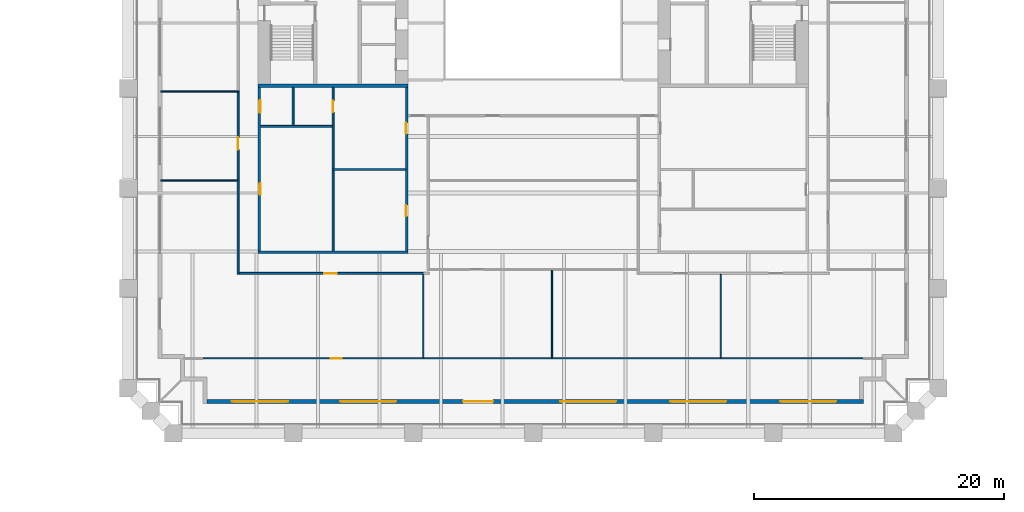
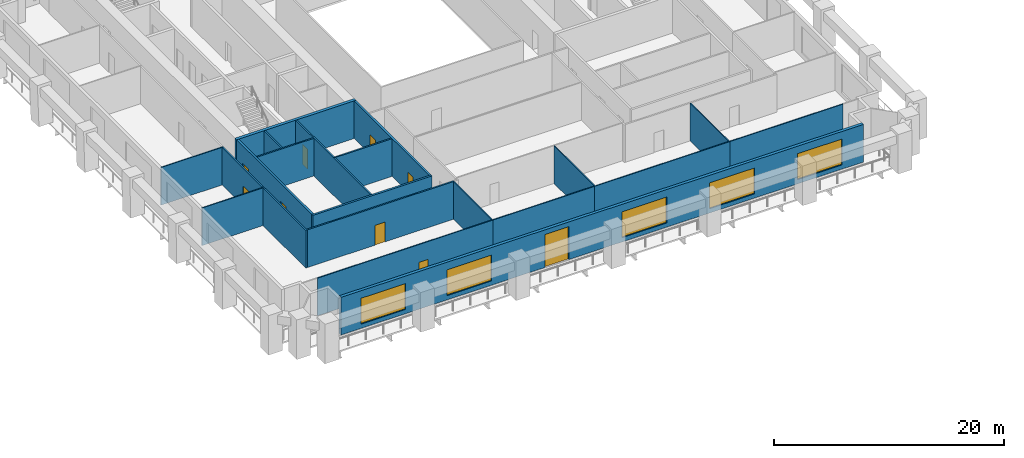
# One storey, part 3 of 10: 21 walls, 9 doors, 5 windows, 14 openings.
"""IFC4 building model written with IfcOpenShell, lengths in metres."""

from ifc_helpers import new_model, si_unit, direction, frame, frame_2d, origin, place, context, subcontext, project, spatial, rectangle, extrude, material, layer, layer_set, type_object, element, fill, save


model = new_model("IFC4")

# Units and contexts
model_context = context("Model", 3, precision=1e-05, world=origin(), true_north=direction((0.0, 1.0)))
body_context = subcontext(model_context, "Body", "Model", "MODEL_VIEW")
ifc_project = project(units=[si_unit("LENGTHUNIT", "METRE"), si_unit("AREAUNIT", "SQUARE_METRE"), si_unit("VOLUMEUNIT", "CUBIC_METRE"), si_unit("PLANEANGLEUNIT", "RADIAN"), si_unit("MASSUNIT", "GRAM", prefix="KILO")], contexts=[model_context])

# Site, building, storey
site_placement = place(None, origin())
site = spatial("IfcSite", under=ifc_project, at=site_placement, CompositionType="ELEMENT")
building_placement = place(site_placement, origin())
building = spatial("IfcBuilding", under=site, at=building_placement, Name="Ogive Exchange Tower", CompositionType="ELEMENT")
storey_placement = place(building_placement, frame((0.0, 0.0, 48.0)))
storey = spatial("IfcBuildingStorey", under=building, at=storey_placement, Name="L09", CompositionType="ELEMENT", Elevation=48.0)

# Wall, opening, door
ifc_material_1 = material(Name="Gypsum board partition")
ifc_layer_1 = layer(ifc_material_1, 0.14990234375)
ifc_layer_set_1 = layer_set([ifc_layer_1], Name="Core room partition 150 gypsum")
wall_type_1 = type_object("IfcWallType", Name="Core room partition 150 gypsum", PredefinedType="PARTITIONING", material=ifc_layer_set_1)
wall_1_placement = place(storey_placement, frame((-16.0, -15.800048828125, 0.0), z_axis=(0.0, 0.0, 1.0), x_axis=(0.0, 1.0, 0.0)))
wall_1 = element("IfcWall", 1, at=wall_1_placement, inside=storey, type_object=wall_type_1, Name="W annex S column wall", PredefinedType="PARTITIONING", context=body_context, shape_type="SweptSolid", body=[
    extrude(rectangle(XDim=13.050048828125, YDim=0.14990234375, at=frame_2d((6.52490234375, 0.0))), origin(), (0.0, 0.0, 1.0), 4.0),
])
opening_1_placement = place(wall_1_placement, frame((11.08740234375, 0.0, 0.0)))
opening_1 = element("IfcOpeningElement", 2, at=opening_1_placement, cuts=wall_1, Name="Opening L09-C20", PredefinedType="OPENING", context=body_context, shape_type="SweptSolid", body=[
    extrude(rectangle(XDim=0.89990234375, YDim=2.10009765625, at=frame_2d((0.449951171875, 1.050048828125))), frame((0.0, 0.0849609375, 0.0), z_axis=(0.0, -1.0, 0.0), x_axis=(1.0, 0.0, 0.0)), (0.0, 0.0, 1.0), 0.169921875),
])
ifc_material_2 = material(Name="Timber fire door", Category="wood")
door_type_1 = type_object("IfcDoorType", Name="Core room door FD30S 900 x 2100", OperationType="NOTDEFINED", PredefinedType="DOOR", material=ifc_material_2)
door_1_placement = place(opening_1_placement, origin())
door_1 = element("IfcDoor", 3, at=door_1_placement, inside=storey, type_object=door_type_1, Name="Core room door", ObjectType="CD6", OperationType="SINGLE_SWING_RIGHT", OverallHeight=2.10009765625, OverallWidth=0.89990234375, PredefinedType="DOOR", context=body_context, shape_type="SweptSolid", body=[
    extrude(rectangle(XDim=0.89990234375, YDim=2.10009765625, at=frame_2d((0.449951171875, 1.050048828125))), frame((0.0, 0.02490234375, 0.0), z_axis=(0.0, -1.0, 0.0), x_axis=(1.0, 0.0, 0.0)), (0.0, 0.0, 1.0), 0.050048828125),
])
fill(opening_1, door_1)

# Walls
wall_2_placement = place(storey_placement, frame((-16.0, -9.300048828125, 0.0), z_axis=(0.0, 0.0, 1.0), x_axis=(1.0, 0.0, 0.0)))
element("IfcWall", 4, at=wall_2_placement, inside=storey, type_object=wall_type_1, Name="W annex S cross wall", PredefinedType="PARTITIONING", context=body_context, shape_type="SweptSolid", body=[
    extrude(rectangle(XDim=5.800048828125, YDim=0.14990234375, at=frame_2d((2.89990234375, 0.0))), origin(), (0.0, 0.0, 1.0), 4.0),
])
wall_3_placement = place(storey_placement, frame((-21.800048828125, -5.85009765625, 0.0), z_axis=(0.0, 0.0, 1.0), x_axis=(1.0, 0.0, 0.0)))
element("IfcWall", 5, at=wall_3_placement, inside=storey, type_object=wall_type_1, Name="W annex S wc strip wall 00", PredefinedType="PARTITIONING", context=body_context, shape_type="SweptSolid", body=[
    extrude(rectangle(XDim=5.72509765625, YDim=0.14990234375, at=frame_2d((2.862548828125, 0.0))), origin(), (0.0, 0.0, 1.0), 4.0),
])
wall_4_placement = place(storey_placement, frame((-19.199951171875, -5.77490234375, 0.0), z_axis=(0.0, 0.0, 1.0), x_axis=(0.0, 1.0, 0.0)))
element("IfcWall", 6, at=wall_4_placement, inside=storey, type_object=wall_type_1, Name="W annex S wc partition 00", PredefinedType="PARTITIONING", context=body_context, shape_type="SweptSolid", body=[
    extrude(rectangle(XDim=3.02490234375, YDim=0.14990234375, at=frame_2d((1.512451171875, 0.0))), origin(), (0.0, 0.0, 1.0), 4.0),
])
ifc_material_3 = material(Name="Fire partition EI 60 150")
ifc_layer_2 = layer(ifc_material_3, 0.14990234375)
ifc_layer_set_2 = layer_set([ifc_layer_2], Name="Fire partition EI 60 150")
wall_type_2 = type_object("IfcWallType", Name="Fire partition EI 60 150", PredefinedType="PARTITIONING", material=ifc_layer_set_2)
wall_5_placement = place(storey_placement, frame((-23.60009765625, -17.675048828125, 0.0), z_axis=(0.0, 0.0, 1.0), x_axis=(0.0, 1.0, 0.0)))
element("IfcWall", 7, at=wall_5_placement, inside=storey, type_object=wall_type_2, Name="L09-PWL-006", PredefinedType="PARTITIONING", context=body_context, shape_type="SweptSolid", body=[
    extrude(rectangle(XDim=7.554931640625, YDim=0.14990234375, at=frame_2d((3.77734375, 0.0))), origin(), (0.0, 0.0, 1.0), 4.0),
])

# Wall, opening, door
wall_6_placement = place(storey_placement, frame((-23.60009765625, -10.1201171875, 0.0), z_axis=(0.0, 0.0, 1.0), x_axis=(0.0, 1.0, 0.0)))
wall_6 = element("IfcWall", 8, at=wall_6_placement, inside=storey, type_object=wall_type_2, Name="L09-PWL-008", PredefinedType="PARTITIONING", context=body_context, shape_type="SweptSolid", body=[
    extrude(rectangle(XDim=7.010009765625, YDim=0.14990234375, at=frame_2d((3.5048828125, 0.0))), origin(), (0.0, 0.0, 1.0), 4.0),
])
opening_2_placement = place(wall_6_placement, frame((2.409912109375, 0.0, 0.0)))
opening_2 = element("IfcOpeningElement", 9, at=opening_2_placement, cuts=wall_6, Name="Opening L09-I02", PredefinedType="OPENING", context=body_context, shape_type="SweptSolid", body=[
    extrude(rectangle(XDim=1.0, YDim=2.10009765625, at=frame_2d((0.5, 1.050048828125))), frame((0.0, 0.0849609375, 0.0), z_axis=(0.0, -1.0, 0.0), x_axis=(1.0, 0.0, 0.0)), (0.0, 0.0, 1.0), 0.169921875),
])
ifc_material_4 = material(Name="Fire door FD 30S 1000 x 2100")
door_type_2 = type_object("IfcDoorType", Name="Fire door FD 30S 1000 x 2100", OperationType="NOTDEFINED", PredefinedType="DOOR", material=ifc_material_4)
door_2_placement = place(opening_2_placement, origin())
door_2 = element("IfcDoor", 10, at=door_2_placement, inside=storey, type_object=door_type_2, Name="L09-IDR-002", ObjectType="DT3", OperationType="SINGLE_SWING_RIGHT", OverallHeight=2.10009765625, OverallWidth=1.0, PredefinedType="DOOR", context=body_context, shape_type="SweptSolid", body=[
    extrude(rectangle(XDim=1.0, YDim=2.10009765625, at=frame_2d((0.5, 1.050048828125))), frame((0.0, 0.02490234375, 0.0), z_axis=(0.0, -1.0, 0.0), x_axis=(1.0, 0.0, 0.0)), (0.0, 0.0, 1.0), 0.050048828125),
])
fill(opening_2, door_2)

wall_7_placement = place(storey_placement, frame((-8.75, -17.60009765625, 0.0), z_axis=(0.0, 0.0, 1.0), x_axis=(-1.0, 0.0, 0.0)))
wall_7 = element("IfcWall", 11, at=wall_7_placement, inside=storey, type_object=wall_type_2, Name="L09-PWL-014", PredefinedType="PARTITIONING", context=body_context, shape_type="SweptSolid", body=[
    extrude(rectangle(XDim=14.77490234375, YDim=0.14990234375, at=frame_2d((7.387451171875, 0.0))), origin(), (0.0, 0.0, 1.0), 4.0),
])
opening_3_placement = place(wall_7_placement, frame((6.949951171875, 0.0, 0.0)))
opening_3 = element("IfcOpeningElement", 12, at=opening_3_placement, cuts=wall_7, Name="Opening L09-I11", PredefinedType="OPENING", context=body_context, shape_type="SweptSolid", body=[
    extrude(rectangle(XDim=1.0, YDim=2.10009765625, at=frame_2d((0.5, 1.050048828125))), frame((0.0, 0.0849609375, 0.0), z_axis=(0.0, -1.0, 0.0), x_axis=(1.0, 0.0, 0.0)), (0.0, 0.0, 1.0), 0.169921875),
])
door_3_placement = place(opening_3_placement, origin())
door_3 = element("IfcDoor", 13, at=door_3_placement, inside=storey, type_object=door_type_2, Name="L09-IDR-011", ObjectType="DT3", OperationType="SINGLE_SWING_LEFT", OverallHeight=2.10009765625, OverallWidth=1.0, PredefinedType="DOOR", context=body_context, shape_type="SweptSolid", body=[
    extrude(rectangle(XDim=1.0, YDim=2.10009765625, at=frame_2d((0.5, 1.050048828125))), frame((0.0, 0.02490234375, 0.0), z_axis=(0.0, -1.0, 0.0), x_axis=(1.0, 0.0, 0.0)), (0.0, 0.0, 1.0), 0.050048828125),
])
fill(opening_3, door_3)

# Wall, openings, door, windows
ifc_material_5 = material(Name="Precast concrete C40/50", Category="concrete")
ifc_layer_3 = layer(ifc_material_5, 0.300048828125)
ifc_layer_set_3 = layer_set([ifc_layer_3], Name="Limestone-faced wall 300")
wall_type_3 = type_object("IfcWallType", Name="Limestone-faced wall 300", PredefinedType="STANDARD", material=ifc_layer_set_3)
wall_8_placement = place(storey_placement, frame((-26.10009765625, -27.85009765625, 0.0), z_axis=(0.0, 0.0, 1.0), x_axis=(1.0, 0.0, 0.0)))
wall_8 = element("IfcWall", 14, at=wall_8_placement, inside=storey, type_object=wall_type_3, Name="External wall S1", PredefinedType="STANDARD", context=body_context, shape_type="SweptSolid", body=[
    extrude(rectangle(XDim=52.5, YDim=0.300048828125, at=frame_2d((26.25, 0.0))), origin(), (0.0, 0.0, 1.0), 4.0),
])
opening_4_placement = place(wall_8_placement, frame((2.0, 0.0, 0.449951171875)))
opening_4 = element("IfcOpeningElement", 15, at=opening_4_placement, cuts=wall_8, Name="Opening W1H", PredefinedType="OPENING", context=body_context, shape_type="SweptSolid", body=[
    extrude(rectangle(XDim=4.5, YDim=2.75, at=frame_2d((2.25, 1.375))), frame((0.0, 0.159912109375, 0.0), z_axis=(0.0, -1.0, 0.0), x_axis=(1.0, 0.0, 0.0)), (0.0, 0.0, 1.0), 0.320068359375),
])
opening_5_placement = place(wall_8_placement, frame((10.64990234375, 0.0, 0.449951171875)))
opening_5 = element("IfcOpeningElement", 16, at=opening_5_placement, cuts=wall_8, Name="Opening W1H", PredefinedType="OPENING", context=body_context, shape_type="SweptSolid", body=[
    extrude(rectangle(XDim=4.5, YDim=2.75, at=frame_2d((2.25, 1.375))), frame((0.0, 0.159912109375, 0.0), z_axis=(0.0, -1.0, 0.0), x_axis=(1.0, 0.0, 0.0)), (0.0, 0.0, 1.0), 0.320068359375),
])
opening_6_placement = place(wall_8_placement, frame((20.5, 0.0, 0.0)))
opening_6 = element("IfcOpeningElement", 17, at=opening_6_placement, cuts=wall_8, Name="Opening D1", PredefinedType="OPENING", context=body_context, shape_type="SweptSolid", body=[
    extrude(rectangle(XDim=2.39990234375, YDim=3.5, at=frame_2d((1.199951171875, 1.75))), frame((0.0, 0.159912109375, 0.0), z_axis=(0.0, -1.0, 0.0), x_axis=(1.0, 0.0, 0.0)), (0.0, 0.0, 1.0), 0.320068359375),
])
opening_7_placement = place(wall_8_placement, frame((28.25, 0.0, 0.449951171875)))
opening_7 = element("IfcOpeningElement", 18, at=opening_7_placement, cuts=wall_8, Name="Opening W1H", PredefinedType="OPENING", context=body_context, shape_type="SweptSolid", body=[
    extrude(rectangle(XDim=4.5, YDim=2.75, at=frame_2d((2.25, 1.375))), frame((0.0, 0.159912109375, 0.0), z_axis=(0.0, -1.0, 0.0), x_axis=(1.0, 0.0, 0.0)), (0.0, 0.0, 1.0), 0.320068359375),
])
opening_8_placement = place(wall_8_placement, frame((37.050048828125, 0.0, 0.449951171875)))
opening_8 = element("IfcOpeningElement", 19, at=opening_8_placement, cuts=wall_8, Name="Opening W1H", PredefinedType="OPENING", context=body_context, shape_type="SweptSolid", body=[
    extrude(rectangle(XDim=4.5, YDim=2.75, at=frame_2d((2.25, 1.375))), frame((0.0, 0.159912109375, 0.0), z_axis=(0.0, -1.0, 0.0), x_axis=(1.0, 0.0, 0.0)), (0.0, 0.0, 1.0), 0.320068359375),
])
opening_9_placement = place(wall_8_placement, frame((45.85009765625, 0.0, 0.449951171875)))
opening_9 = element("IfcOpeningElement", 20, at=opening_9_placement, cuts=wall_8, Name="Opening W1H", PredefinedType="OPENING", context=body_context, shape_type="SweptSolid", body=[
    extrude(rectangle(XDim=4.5, YDim=2.75, at=frame_2d((2.25, 1.375))), frame((0.0, 0.159912109375, 0.0), z_axis=(0.0, -1.0, 0.0), x_axis=(1.0, 0.0, 0.0)), (0.0, 0.0, 1.0), 0.320068359375),
])
ifc_material_6 = material(Name="Clear glass in bronze frame", Category="glass")
door_type_3 = type_object("IfcDoorType", Name="Sliding loggia door 2400 x 3500", OperationType="DOUBLE_DOOR_SLIDING", PredefinedType="DOOR", material=ifc_material_6)
door_4_placement = place(opening_6_placement, origin())
door_4 = element("IfcDoor", 21, at=door_4_placement, inside=storey, type_object=door_type_3, Name="Loggia door S02", OperationType="DOUBLE_DOOR_SLIDING", OverallHeight=3.5, OverallWidth=2.39990234375, PredefinedType="DOOR", context=body_context, shape_type="SweptSolid", body=[
    extrude(rectangle(XDim=2.39990234375, YDim=3.5, at=frame_2d((1.199951171875, 1.75))), frame((0.0, 0.02490234375, 0.0), z_axis=(0.0, -1.0, 0.0), x_axis=(1.0, 0.0, 0.0)), (0.0, 0.0, 1.0), 0.050048828125),
])
fill(opening_6, door_4)
window_type = type_object("IfcWindowType", Name="Twin lancet window 4500 x 2750", PartitioningType="DOUBLE_PANEL_VERTICAL", PredefinedType="WINDOW", material=ifc_material_6)
window_1_placement = place(opening_4_placement, origin())
window_1 = element("IfcWindow", 22, at=window_1_placement, inside=storey, type_object=window_type, Name="Window S00", OverallHeight=2.75, OverallWidth=4.5, PartitioningType="DOUBLE_PANEL_VERTICAL", PredefinedType="WINDOW", context=body_context, shape_type="SweptSolid", body=[
    extrude(rectangle(XDim=4.5, YDim=2.75, at=frame_2d((2.25, 1.375))), frame((0.0, 0.030029296875, 0.0), z_axis=(0.0, -1.0, 0.0), x_axis=(1.0, 0.0, 0.0)), (0.0, 0.0, 1.0), 0.06005859375),
])
fill(opening_4, window_1)
window_2_placement = place(opening_5_placement, origin())
window_2 = element("IfcWindow", 23, at=window_2_placement, inside=storey, type_object=window_type, Name="Window S01", OverallHeight=2.75, OverallWidth=4.5, PartitioningType="DOUBLE_PANEL_VERTICAL", PredefinedType="WINDOW", context=body_context, shape_type="SweptSolid", body=[
    extrude(rectangle(XDim=4.5, YDim=2.75, at=frame_2d((2.25, 1.375))), frame((0.0, 0.030029296875, 0.0), z_axis=(0.0, -1.0, 0.0), x_axis=(1.0, 0.0, 0.0)), (0.0, 0.0, 1.0), 0.06005859375),
])
fill(opening_5, window_2)
window_3_placement = place(opening_7_placement, origin())
window_3 = element("IfcWindow", 24, at=window_3_placement, inside=storey, type_object=window_type, Name="Window S03", OverallHeight=2.75, OverallWidth=4.5, PartitioningType="DOUBLE_PANEL_VERTICAL", PredefinedType="WINDOW", context=body_context, shape_type="SweptSolid", body=[
    extrude(rectangle(XDim=4.5, YDim=2.75, at=frame_2d((2.25, 1.375))), frame((0.0, 0.030029296875, 0.0), z_axis=(0.0, -1.0, 0.0), x_axis=(1.0, 0.0, 0.0)), (0.0, 0.0, 1.0), 0.06005859375),
])
fill(opening_7, window_3)
window_4_placement = place(opening_8_placement, origin())
window_4 = element("IfcWindow", 25, at=window_4_placement, inside=storey, type_object=window_type, Name="Window S04", OverallHeight=2.75, OverallWidth=4.5, PartitioningType="DOUBLE_PANEL_VERTICAL", PredefinedType="WINDOW", context=body_context, shape_type="SweptSolid", body=[
    extrude(rectangle(XDim=4.5, YDim=2.75, at=frame_2d((2.25, 1.375))), frame((0.0, 0.030029296875, 0.0), z_axis=(0.0, -1.0, 0.0), x_axis=(1.0, 0.0, 0.0)), (0.0, 0.0, 1.0), 0.06005859375),
])
fill(opening_8, window_4)
window_5_placement = place(opening_9_placement, origin())
window_5 = element("IfcWindow", 26, at=window_5_placement, inside=storey, type_object=window_type, Name="Window S05", OverallHeight=2.75, OverallWidth=4.5, PartitioningType="DOUBLE_PANEL_VERTICAL", PredefinedType="WINDOW", context=body_context, shape_type="SweptSolid", body=[
    extrude(rectangle(XDim=4.5, YDim=2.75, at=frame_2d((2.25, 1.375))), frame((0.0, 0.030029296875, 0.0), z_axis=(0.0, -1.0, 0.0), x_axis=(1.0, 0.0, 0.0)), (0.0, 0.0, 1.0), 0.06005859375),
])
fill(opening_9, window_5)

# Wall
ifc_material_7 = material(Name="Partition 100 gypsum")
ifc_layer_4 = layer(ifc_material_7, 0.10009765625)
ifc_layer_set_4 = layer_set([ifc_layer_4], Name="Partition 100 gypsum")
wall_type_4 = type_object("IfcWallType", Name="Partition 100 gypsum", PredefinedType="PARTITIONING", material=ifc_layer_set_4)
wall_9_placement = place(storey_placement, frame((-29.800048828125, -3.06005859375, 0.0), z_axis=(0.0, 0.0, 1.0), x_axis=(1.0, 0.0, 0.0)))
element("IfcWall", 27, at=wall_9_placement, inside=storey, type_object=wall_type_4, Name="L09-PWL-001", PredefinedType="PARTITIONING", context=body_context, shape_type="SweptSolid", body=[
    extrude(rectangle(XDim=6.275146484375, YDim=0.10009765625, at=frame_2d((3.1376953125, 0.0))), origin(), (0.0, 0.0, 1.0), 4.0),
])

# Wall, opening, door
wall_10_placement = place(storey_placement, frame((-26.409912109375, -24.39990234375, 0.0), z_axis=(0.0, 0.0, 1.0), x_axis=(1.0, 0.0, 0.0)))
wall_10 = element("IfcWall", 28, at=wall_10_placement, inside=storey, type_object=wall_type_4, Name="L09-PWL-005", PredefinedType="PARTITIONING", context=body_context, shape_type="SweptSolid", body=[
    extrude(rectangle(XDim=17.659912109375, YDim=0.10009765625, at=frame_2d((8.830078125, 0.0))), origin(), (0.0, 0.0, 1.0), 4.0),
])
opening_10_placement = place(wall_10_placement, frame((10.199951171875, 0.0, 0.0)))
opening_10 = element("IfcOpeningElement", 29, at=opening_10_placement, cuts=wall_10, Name="Opening L09-I10", PredefinedType="OPENING", context=body_context, shape_type="SweptSolid", body=[
    extrude(rectangle(XDim=0.89990234375, YDim=2.10009765625, at=frame_2d((0.449951171875, 1.050048828125))), frame((0.0, 0.06005859375, 0.0), z_axis=(0.0, -1.0, 0.0), x_axis=(1.0, 0.0, 0.0)), (0.0, 0.0, 1.0), 0.1201171875),
])
ifc_material_8 = material(Name="Door 900 x 2100")
door_type_4 = type_object("IfcDoorType", Name="Door 900 x 2100", OperationType="NOTDEFINED", PredefinedType="DOOR", material=ifc_material_8)
door_5_placement = place(opening_10_placement, frame((0.89990234375, 0.0, 0.0), z_axis=(0.0, 0.0, 1.0), x_axis=(-1.0, 0.0, 0.0)))
door_5 = element("IfcDoor", 30, at=door_5_placement, inside=storey, type_object=door_type_4, Name="L09-IDR-010", ObjectType="DT1", OperationType="SINGLE_SWING_RIGHT", OverallHeight=2.10009765625, OverallWidth=0.89990234375, PredefinedType="DOOR", context=body_context, shape_type="SweptSolid", body=[
    extrude(rectangle(XDim=0.89990234375, YDim=2.10009765625, at=frame_2d((0.449951171875, 1.050048828125))), frame((0.0, 0.02490234375, 0.0), z_axis=(0.0, -1.0, 0.0), x_axis=(1.0, 0.0, 0.0)), (0.0, 0.0, 1.0), 0.050048828125),
])
fill(opening_10, door_5)

# Walls
wall_11_placement = place(storey_placement, frame((-23.675048828125, -10.169921875, 0.0), z_axis=(0.0, 0.0, 1.0), x_axis=(-1.0, 0.0, 0.0)))
element("IfcWall", 31, at=wall_11_placement, inside=storey, type_object=wall_type_4, Name="L09-PWL-007", PredefinedType="PARTITIONING", context=body_context, shape_type="SweptSolid", body=[
    extrude(rectangle(XDim=6.125, YDim=0.10009765625, at=frame_2d((3.0625, 0.0))), origin(), (0.0, 0.0, 1.0), 4.0),
])
wall_12_placement = place(storey_placement, frame((-8.75, -24.39990234375, 0.0), z_axis=(0.0, 0.0, 1.0), x_axis=(1.0, 0.0, 0.0)))
element("IfcWall", 32, at=wall_12_placement, inside=storey, type_object=wall_type_4, Name="L09-PWL-013", PredefinedType="PARTITIONING", context=body_context, shape_type="SweptSolid", body=[
    extrude(rectangle(XDim=10.199951171875, YDim=0.10009765625, at=frame_2d((5.10009765625, 0.0))), origin(), (0.0, 0.0, 1.0), 4.0),
])
wall_13_placement = place(storey_placement, frame((-8.800048828125, -17.675048828125, 0.0), z_axis=(0.0, 0.0, 1.0), x_axis=(0.0, -1.0, 0.0)))
element("IfcWall", 33, at=wall_13_placement, inside=storey, type_object=wall_type_4, Name="L09-PWL-015", PredefinedType="PARTITIONING", context=body_context, shape_type="SweptSolid", body=[
    extrude(rectangle(XDim=6.675048828125, YDim=0.10009765625, at=frame_2d((3.33740234375, 0.0))), origin(), (0.0, 0.0, 1.0), 4.0),
])
wall_14_placement = place(storey_placement, frame((1.449951171875, -24.39990234375, 0.0), z_axis=(0.0, 0.0, 1.0), x_axis=(1.0, 0.0, 0.0)))
element("IfcWall", 34, at=wall_14_placement, inside=storey, type_object=wall_type_4, Name="L09-PWL-022", PredefinedType="PARTITIONING", context=body_context, shape_type="SweptSolid", body=[
    extrude(rectangle(XDim=13.60009765625, YDim=0.10009765625, at=frame_2d((6.800048828125, 0.0))), origin(), (0.0, 0.0, 1.0), 4.0),
])
wall_15_placement = place(storey_placement, frame((1.5, -17.340087890625, 0.0), z_axis=(0.0, 0.0, 1.0), x_axis=(0.0, -1.0, 0.0)))
element("IfcWall", 35, at=wall_15_placement, inside=storey, type_object=wall_type_4, Name="L09-PWL-024", PredefinedType="PARTITIONING", context=body_context, shape_type="SweptSolid", body=[
    extrude(rectangle(XDim=7.010009765625, YDim=0.10009765625, at=frame_2d((3.5048828125, 0.0))), origin(), (0.0, 0.0, 1.0), 4.0),
])
wall_16_placement = place(storey_placement, frame((15.050048828125, -24.39990234375, 0.0), z_axis=(0.0, 0.0, 1.0), x_axis=(1.0, 0.0, 0.0)))
element("IfcWall", 36, at=wall_16_placement, inside=storey, type_object=wall_type_4, Name="L09-PWL-033", PredefinedType="PARTITIONING", context=body_context, shape_type="SweptSolid", body=[
    extrude(rectangle(XDim=11.35986328125, YDim=0.10009765625, at=frame_2d((5.679931640625, 0.0))), origin(), (0.0, 0.0, 1.0), 4.0),
])
wall_17_placement = place(storey_placement, frame((15.0, -17.675048828125, 0.0), z_axis=(0.0, 0.0, 1.0), x_axis=(0.0, -1.0, 0.0)))
element("IfcWall", 37, at=wall_17_placement, inside=storey, type_object=wall_type_4, Name="L09-PWL-035", PredefinedType="PARTITIONING", context=body_context, shape_type="SweptSolid", body=[
    extrude(rectangle(XDim=6.675048828125, YDim=0.10009765625, at=frame_2d((3.33740234375, 0.0))), origin(), (0.0, 0.0, 1.0), 4.0),
])

# Wall, openings, doors
ifc_material_9 = material(Name="Concrete C70/85", Category="concrete")
ifc_layer_5 = layer(ifc_material_9, 0.199951171875)
ifc_layer_set_5 = layer_set([ifc_layer_5], Name="RC core wall 200 C70/85")
wall_type_5 = type_object("IfcWallType", Name="RC core wall 200 C70/85", PredefinedType="SHEAR", material=ifc_layer_set_5)
wall_18_placement = place(storey_placement, frame((-21.89990234375, -15.800048828125, 0.0), z_axis=(0.0, 0.0, 1.0), x_axis=(0.0, 1.0, 0.0)))
wall_18 = element("IfcWall", 38, at=wall_18_placement, inside=storey, type_object=wall_type_5, Name="W annex S outer wall", PredefinedType="SHEAR", context=body_context, shape_type="SweptSolid", body=[
    extrude(rectangle(XDim=13.050048828125, YDim=0.199951171875, at=frame_2d((6.52490234375, 0.0))), origin(), (0.0, 0.0, 1.0), 4.0),
])
opening_11_placement = place(wall_18_placement, frame((4.487548828125, 0.0, 0.0)))
opening_11 = element("IfcOpeningElement", 39, at=opening_11_placement, cuts=wall_18, Name="Opening L09-C18", PredefinedType="OPENING", context=body_context, shape_type="SweptSolid", body=[
    extrude(rectangle(XDim=0.89990234375, YDim=2.10009765625, at=frame_2d((0.449951171875, 1.050048828125))), frame((0.0, 0.10986328125, 0.0), z_axis=(0.0, -1.0, 0.0), x_axis=(1.0, 0.0, 0.0)), (0.0, 0.0, 1.0), 0.219970703125),
])
opening_12_placement = place(wall_18_placement, frame((11.03759765625, 0.0, 0.0)))
opening_12 = element("IfcOpeningElement", 40, at=opening_12_placement, cuts=wall_18, Name="Opening L09-C19", PredefinedType="OPENING", context=body_context, shape_type="SweptSolid", body=[
    extrude(rectangle(XDim=1.0, YDim=2.10009765625, at=frame_2d((0.5, 1.050048828125))), frame((0.0, 0.10986328125, 0.0), z_axis=(0.0, -1.0, 0.0), x_axis=(1.0, 0.0, 0.0)), (0.0, 0.0, 1.0), 0.219970703125),
])
door_type_5 = type_object("IfcDoorType", Name="Accessible WC door FD30S 1000 x 2100", OperationType="NOTDEFINED", PredefinedType="DOOR", material=ifc_material_2)
door_6_placement = place(opening_12_placement, frame((1.0, -0.14990234375, 0.0), z_axis=(0.0, 0.0, 1.0), x_axis=(-1.0, 0.0, 0.0)))
door_6 = element("IfcDoor", 41, at=door_6_placement, inside=storey, type_object=door_type_5, Name="Accessible WC door", ObjectType="CD7", OperationType="SINGLE_SWING_RIGHT", OverallHeight=2.10009765625, OverallWidth=1.0, PredefinedType="DOOR", context=body_context, shape_type="SweptSolid", body=[
    extrude(rectangle(XDim=1.0, YDim=2.10009765625, at=frame_2d((0.5, 1.050048828125))), frame((0.0, -0.0498046875, 0.0), z_axis=(0.0, -1.0, 0.0), x_axis=(1.0, 0.0, 0.0)), (0.0, 0.0, 1.0), 0.050048828125),
])
fill(opening_12, door_6)
ifc_material_10 = material(Name="Steel fire door", Category="steel")
door_type_6 = type_object("IfcDoorType", Name="Riser door FD60 900 x 2100", OperationType="NOTDEFINED", PredefinedType="DOOR", material=ifc_material_10)
door_7_placement = place(opening_11_placement, frame((0.89990234375, -0.14990234375, 0.0), z_axis=(0.0, 0.0, 1.0), x_axis=(-1.0, 0.0, 0.0)))
door_7 = element("IfcDoor", 42, at=door_7_placement, inside=storey, type_object=door_type_6, Name="Riser door", ObjectType="CD2", OperationType="SINGLE_SWING_RIGHT", OverallHeight=2.10009765625, OverallWidth=0.89990234375, PredefinedType="DOOR", context=body_context, shape_type="SweptSolid", body=[
    extrude(rectangle(XDim=0.89990234375, YDim=2.10009765625, at=frame_2d((0.449951171875, 1.050048828125))), frame((0.0, -0.0498046875, 0.0), z_axis=(0.0, -1.0, 0.0), x_axis=(1.0, 0.0, 0.0)), (0.0, 0.0, 1.0), 0.050048828125),
])
fill(opening_11, door_7)

wall_19_placement = place(storey_placement, frame((-10.10009765625, -15.800048828125, 0.0), z_axis=(0.0, 0.0, 1.0), x_axis=(0.0, 1.0, 0.0)))
wall_19 = element("IfcWall", 43, at=wall_19_placement, inside=storey, type_object=wall_type_5, Name="W annex S inner wall", PredefinedType="SHEAR", context=body_context, shape_type="SweptSolid", body=[
    extrude(rectangle(XDim=13.050048828125, YDim=0.199951171875, at=frame_2d((6.52490234375, 0.0))), origin(), (0.0, 0.0, 1.0), 4.0),
])
opening_13_placement = place(wall_19_placement, frame((2.762451171875, 0.0, 0.0)))
opening_13 = element("IfcOpeningElement", 44, at=opening_13_placement, cuts=wall_19, Name="Opening L09-C21", PredefinedType="OPENING", context=body_context, shape_type="SweptSolid", body=[
    extrude(rectangle(XDim=0.89990234375, YDim=2.10009765625, at=frame_2d((0.449951171875, 1.050048828125))), frame((0.0, 0.10986328125, 0.0), z_axis=(0.0, -1.0, 0.0), x_axis=(1.0, 0.0, 0.0)), (0.0, 0.0, 1.0), 0.219970703125),
])
opening_14_placement = place(wall_19_placement, frame((9.362548828125, 0.0, 0.0)))
opening_14 = element("IfcOpeningElement", 45, at=opening_14_placement, cuts=wall_19, Name="Opening L09-C22", PredefinedType="OPENING", context=body_context, shape_type="SweptSolid", body=[
    extrude(rectangle(XDim=0.89990234375, YDim=2.10009765625, at=frame_2d((0.449951171875, 1.050048828125))), frame((0.0, 0.10986328125, 0.0), z_axis=(0.0, -1.0, 0.0), x_axis=(1.0, 0.0, 0.0)), (0.0, 0.0, 1.0), 0.219970703125),
])
door_8_placement = place(opening_14_placement, origin())
door_8 = element("IfcDoor", 46, at=door_8_placement, inside=storey, type_object=door_type_1, Name="Core room door", ObjectType="CD6", OperationType="SINGLE_SWING_RIGHT", OverallHeight=2.10009765625, OverallWidth=0.89990234375, PredefinedType="DOOR", context=body_context, shape_type="SweptSolid", body=[
    extrude(rectangle(XDim=0.89990234375, YDim=2.10009765625, at=frame_2d((0.449951171875, 1.050048828125))), frame((0.0, 0.10009765625, 0.0), z_axis=(0.0, -1.0, 0.0), x_axis=(1.0, 0.0, 0.0)), (0.0, 0.0, 1.0), 0.050048828125),
])
fill(opening_14, door_8)
door_9_placement = place(opening_13_placement, origin())
door_9 = element("IfcDoor", 47, at=door_9_placement, inside=storey, type_object=door_type_6, Name="Riser door", ObjectType="CD2", OperationType="SINGLE_SWING_RIGHT", OverallHeight=2.10009765625, OverallWidth=0.89990234375, PredefinedType="DOOR", context=body_context, shape_type="SweptSolid", body=[
    extrude(rectangle(XDim=0.89990234375, YDim=2.10009765625, at=frame_2d((0.449951171875, 1.050048828125))), frame((0.0, 0.10009765625, 0.0), z_axis=(0.0, -1.0, 0.0), x_axis=(1.0, 0.0, 0.0)), (0.0, 0.0, 1.0), 0.050048828125),
])
fill(opening_13, door_9)

# Walls
wall_20_placement = place(storey_placement, frame((-22.0, -15.89990234375, 0.0), z_axis=(0.0, 0.0, 1.0), x_axis=(1.0, 0.0, 0.0)))
element("IfcWall", 48, at=wall_20_placement, inside=storey, type_object=wall_type_5, Name="W annex S end wall", PredefinedType="SHEAR", context=body_context, shape_type="SweptSolid", body=[
    extrude(rectangle(XDim=12.0, YDim=0.199951171875, at=frame_2d((6.0, 0.0))), origin(), (0.0, 0.0, 1.0), 4.0),
])
ifc_layer_6 = layer(ifc_material_9, 0.300048828125)
ifc_layer_set_6 = layer_set([ifc_layer_6], Name="RC core wall 300 C70/85")
wall_type_6 = type_object("IfcWallType", Name="RC core wall 300 C70/85", PredefinedType="SHEAR", material=ifc_layer_set_6)
wall_21_placement = place(storey_placement, frame((-22.0, -2.60009765625, 0.0), z_axis=(0.0, 0.0, 1.0), x_axis=(1.0, 0.0, 0.0)))
element("IfcWall", 49, at=wall_21_placement, inside=storey, type_object=wall_type_6, Name="W south end wall", PredefinedType="SHEAR", context=body_context, shape_type="SweptSolid", body=[
    extrude(rectangle(XDim=12.0, YDim=0.300048828125, at=frame_2d((6.0, 0.0))), origin(), (0.0, 0.0, 1.0), 4.0),
])

save(model, "model.ifc")
